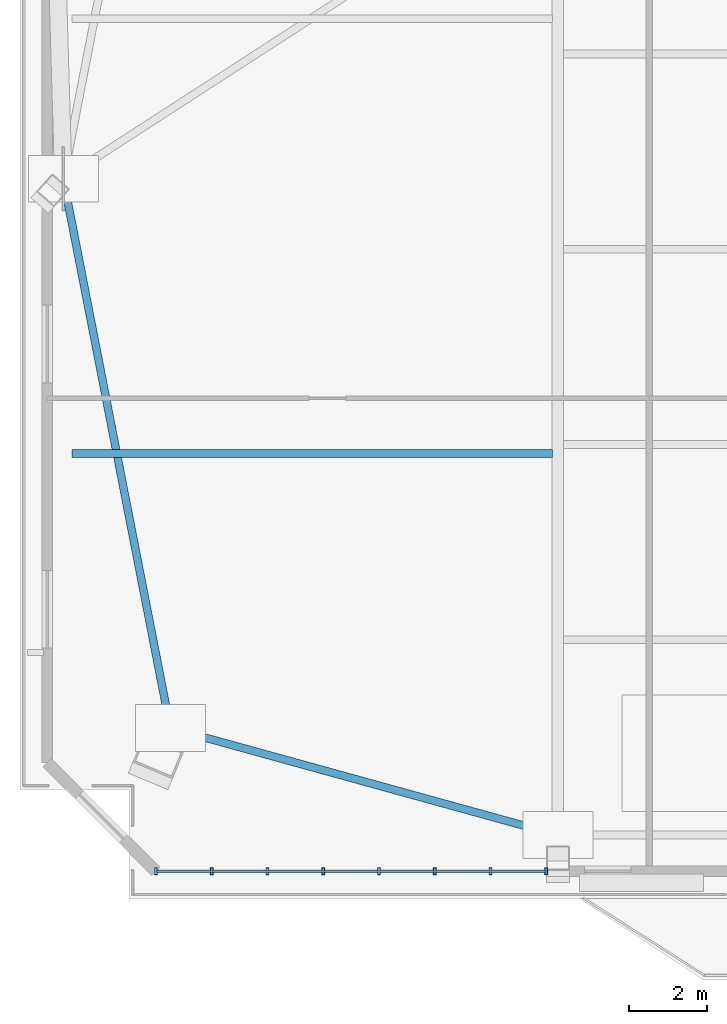
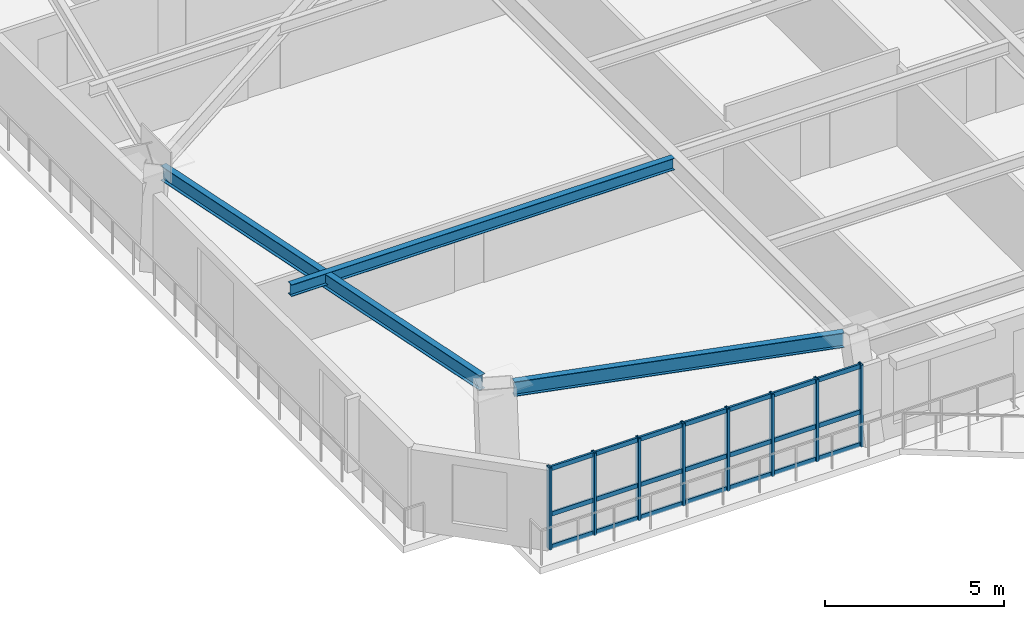
# One storey, part 2 of 16: 11 members, 3 beams, 1 element without a shape of its own.
"""IFC4 building model written with IfcOpenShell, lengths in metres."""

from ifc_helpers import new_model, si_unit, direction, frame, origin, origin_2d, place, context, subcontext, project, spatial, hollow_rectangle, i_section, extrude, source, transform, mapped, material, layer, layer_set, material_profile, profile_set, type_object, element, aggregate, save


model = new_model("IFC4")

# Units and contexts
model_context = context("Model", 3, precision=1e-05, world=origin(), true_north=direction((0.0, 1.0)))
body_context = subcontext(model_context, "Body", "Model", "MODEL_VIEW")
ifc_project = project(units=[si_unit("LENGTHUNIT", "METRE"), si_unit("AREAUNIT", "SQUARE_METRE"), si_unit("VOLUMEUNIT", "CUBIC_METRE"), si_unit("PLANEANGLEUNIT", "RADIAN"), si_unit("MASSUNIT", "GRAM", prefix="KILO")], contexts=[model_context])

# Site, building, storey
site_placement = place(None, origin())
site = spatial("IfcSite", under=ifc_project, at=site_placement, CompositionType="ELEMENT")
building_placement = place(site_placement, origin())
building = spatial("IfcBuilding", under=site, at=building_placement, Name="Giltprow Tower", CompositionType="ELEMENT")
storey_placement = place(building_placement, frame((0.0, 0.0, 209.699951171875)))
storey = spatial("IfcBuildingStorey", under=building, at=storey_placement, Name="L53", CompositionType="ELEMENT", Elevation=209.699951171875)

# Beams
ifc_material_1 = material(Name="Structural steel Q355B", Category="steel")
ifc_material_profile_1 = material_profile(ifc_material_1, i_section(OverallWidth=0.199951171875, OverallDepth=0.5, WebThickness=0.010009765625, FlangeThickness=0.01611328125, at=origin_2d()), Name="HN 500x200x10x16")
ifc_profile_set_1 = profile_set([ifc_material_profile_1], Name="Structural steel Q355B")
beam_type_1 = type_object("IfcBeamType", Name="BM-SPAN-HN500", PredefinedType="SPANDREL", material=ifc_profile_set_1)
shared_shape_1 = source(origin(), body_context, "Body", "SweptSolid", [
    extrude(i_section(OverallWidth=0.199951171875, OverallDepth=0.5, WebThickness=0.010009765625, FlangeThickness=0.01611328125, at=origin_2d()), origin(), (0.0, 0.0, 1.0), 9.530517578125),
])
beam_1_placement = place(storey_placement, frame((10.387939453125, 14.929931640625, 3.02001953125), z_axis=(0.963951167116, -0.266079212672, 0.0), x_axis=(0.266079212672, 0.963951167116, 0.0)))
element("IfcBeam", 1, at=beam_1_placement, inside=storey, type_object=beam_type_1, Name="L53 Perimeter Spandrel Beam MC_SW-S1", PredefinedType="SPANDREL", context=body_context, shape_type="MappedRepresentation", body=[
    mapped(shared_shape_1, transform((0.0, 0.0, 0.0), x_axis=(1.0, 0.0, 0.0), y_axis=(0.0, 1.0, 0.0), z_axis=(0.0, 0.0, 1.0), scale=1.0)),
])
shared_shape_2 = source(origin(), body_context, "Body", "SweptSolid", [
    extrude(i_section(OverallWidth=0.199951171875, OverallDepth=0.5, WebThickness=0.010009765625, FlangeThickness=0.01611328125, at=origin_2d()), origin(), (0.0, 0.0, 1.0), 13.582763671875),
])
beam_2_placement = place(storey_placement, frame((7.172119140625, 28.928955078125, 3.02001953125), z_axis=(0.19126414203, -0.981538602386, 0.0), x_axis=(0.981538602386, 0.19126414203, 0.0)))
element("IfcBeam", 2, at=beam_2_placement, inside=storey, type_object=beam_type_1, Name="L53 Perimeter Spandrel Beam W_MID-MC_SW", PredefinedType="SPANDREL", context=body_context, shape_type="MappedRepresentation", body=[
    mapped(shared_shape_2, transform((0.0, 0.0, 0.0), x_axis=(1.0, 0.0, 0.0), y_axis=(0.0, 1.0, 0.0), z_axis=(0.0, 0.0, 1.0), scale=1.0)),
])
ifc_material_profile_2 = material_profile(ifc_material_1, i_section(OverallWidth=0.199951171875, OverallDepth=0.39990234375, WebThickness=0.008056640625, FlangeThickness=0.012939453125, at=origin_2d()), Name="HN 400x200x8x13")
ifc_profile_set_2 = profile_set([ifc_material_profile_2], Name="Structural steel Q355B")
beam_type_2 = type_object("IfcBeamType", Name="BM-JOIST-HN400", PredefinedType="JOIST", material=ifc_profile_set_2)
shared_shape_3 = source(origin(), body_context, "Body", "SweptSolid", [
    extrude(i_section(OverallWidth=0.199951171875, OverallDepth=0.39990234375, WebThickness=0.008056640625, FlangeThickness=0.012939453125, at=origin_2d()), origin(), (0.0, 0.0, 1.0), 12.3671875),
])
beam_3_placement = place(storey_placement, frame((7.337890625, 22.139892578125, 3.070068359375), z_axis=(1.0, 0.0, 0.0), x_axis=(0.0, 1.0, 0.0)))
element("IfcBeam", 3, at=beam_3_placement, inside=storey, type_object=beam_type_2, Name="L53 West Wing Floor Joist 1", PredefinedType="JOIST", context=body_context, shape_type="MappedRepresentation", body=[
    mapped(shared_shape_3, transform((0.0, 0.0, 0.0), x_axis=(1.0, 0.0, 0.0), y_axis=(0.0, 1.0, 0.0), z_axis=(0.0, 0.0, 1.0), scale=1.0)),
])

# Curtain wall, members
ifc_material_2 = material(Name="Anodized bronze", Category="metal")
ifc_layer = layer(ifc_material_2, 0.179931640625, Name="Anodized bronze")
ifc_layer_set = layer_set([ifc_layer], Name="Anodized bronze")
curtain_wall_type = type_object("IfcCurtainWallType", Name="CW-HTL-BRONZE", PredefinedType="NOTDEFINED", material=ifc_layer_set)
curtain_wall_placement = place(storey_placement, origin())
curtain_wall = element("IfcCurtainWall", 4, at=curtain_wall_placement, inside=storey, type_object=curtain_wall_type, Name="L53 South Recessed Curtain Wall 1", PredefinedType="NOTDEFINED")
ifc_material_profile_3 = material_profile(ifc_material_2, hollow_rectangle(XDim=0.074951171875, YDim=0.179931640625, WallThickness=0.008056640625, at=origin_2d()), Name="RHS 180x75x8")
ifc_profile_set_3 = profile_set([ifc_material_profile_3], Name="Anodized bronze")
member_type_1 = type_object("IfcMemberType", Name="CW-MULLION-180x75", PredefinedType="MULLION", material=ifc_profile_set_3)
shared_shape_4 = source(origin(), body_context, "Body", "SweptSolid", [
    extrude(hollow_rectangle(XDim=0.074951171875, YDim=0.179931640625, WallThickness=0.008056640625, at=origin_2d()), origin(), (0.0, 0.0, 1.0), 2.80517578125),
])
member_1_placement = place(storey_placement, frame((9.5029296875, 11.385986328125, -0.02001953125), z_axis=(0.0, 0.0, 1.0), x_axis=(1.0, 0.0, 0.0)))
member_1 = element("IfcMember", 5, at=member_1_placement, type_object=member_type_1, Name="L53 South Recessed Curtain Wall 1 Mullion 1", PredefinedType="MULLION", context=body_context, shape_type="MappedRepresentation", body=[
    mapped(shared_shape_4, transform((0.0, 0.0, 0.0), x_axis=(1.0, 0.0, 0.0), y_axis=(0.0, 1.0, 0.0), z_axis=(0.0, 0.0, 1.0), scale=1.0)),
])
member_2_placement = place(storey_placement, frame((10.93798828125, 11.385986328125, -0.02001953125), z_axis=(0.0, 0.0, 1.0), x_axis=(1.0, 0.0, 0.0)))
member_2 = element("IfcMember", 6, at=member_2_placement, type_object=member_type_1, Name="L53 South Recessed Curtain Wall 1 Mullion 2", PredefinedType="MULLION", context=body_context, shape_type="MappedRepresentation", body=[
    mapped(shared_shape_4, transform((0.0, 0.0, 0.0), x_axis=(1.0, 0.0, 0.0), y_axis=(0.0, 1.0, 0.0), z_axis=(0.0, 0.0, 1.0), scale=1.0)),
])
member_3_placement = place(storey_placement, frame((12.3740234375, 11.385986328125, -0.02001953125), z_axis=(0.0, 0.0, 1.0), x_axis=(1.0, 0.0, 0.0)))
member_3 = element("IfcMember", 7, at=member_3_placement, type_object=member_type_1, Name="L53 South Recessed Curtain Wall 1 Mullion 3", PredefinedType="MULLION", context=body_context, shape_type="MappedRepresentation", body=[
    mapped(shared_shape_4, transform((0.0, 0.0, 0.0), x_axis=(1.0, 0.0, 0.0), y_axis=(0.0, 1.0, 0.0), z_axis=(0.0, 0.0, 1.0), scale=1.0)),
])
member_4_placement = place(storey_placement, frame((13.80908203125, 11.385986328125, -0.02001953125), z_axis=(0.0, 0.0, 1.0), x_axis=(1.0, 0.0, 0.0)))
member_4 = element("IfcMember", 8, at=member_4_placement, type_object=member_type_1, Name="L53 South Recessed Curtain Wall 1 Mullion 4", PredefinedType="MULLION", context=body_context, shape_type="MappedRepresentation", body=[
    mapped(shared_shape_4, transform((0.0, 0.0, 0.0), x_axis=(1.0, 0.0, 0.0), y_axis=(0.0, 1.0, 0.0), z_axis=(0.0, 0.0, 1.0), scale=1.0)),
])
member_5_placement = place(storey_placement, frame((15.243896484375, 11.385986328125, -0.02001953125), z_axis=(0.0, 0.0, 1.0), x_axis=(1.0, 0.0, 0.0)))
member_5 = element("IfcMember", 9, at=member_5_placement, type_object=member_type_1, Name="L53 South Recessed Curtain Wall 1 Mullion 5", PredefinedType="MULLION", context=body_context, shape_type="MappedRepresentation", body=[
    mapped(shared_shape_4, transform((0.0, 0.0, 0.0), x_axis=(1.0, 0.0, 0.0), y_axis=(0.0, 1.0, 0.0), z_axis=(0.0, 0.0, 1.0), scale=1.0)),
])
member_6_placement = place(storey_placement, frame((16.678955078125, 11.385986328125, -0.02001953125), z_axis=(0.0, 0.0, 1.0), x_axis=(1.0, 0.0, 0.0)))
member_6 = element("IfcMember", 10, at=member_6_placement, type_object=member_type_1, Name="L53 South Recessed Curtain Wall 1 Mullion 6", PredefinedType="MULLION", context=body_context, shape_type="MappedRepresentation", body=[
    mapped(shared_shape_4, transform((0.0, 0.0, 0.0), x_axis=(1.0, 0.0, 0.0), y_axis=(0.0, 1.0, 0.0), z_axis=(0.0, 0.0, 1.0), scale=1.0)),
])
member_7_placement = place(storey_placement, frame((18.114990234375, 11.385986328125, -0.02001953125), z_axis=(0.0, 0.0, 1.0), x_axis=(1.0, 0.0, 0.0)))
member_7 = element("IfcMember", 11, at=member_7_placement, type_object=member_type_1, Name="L53 South Recessed Curtain Wall 1 Mullion 7", PredefinedType="MULLION", context=body_context, shape_type="MappedRepresentation", body=[
    mapped(shared_shape_4, transform((0.0, 0.0, 0.0), x_axis=(1.0, 0.0, 0.0), y_axis=(0.0, 1.0, 0.0), z_axis=(0.0, 0.0, 1.0), scale=1.0)),
])
member_8_placement = place(storey_placement, frame((19.550048828125, 11.385986328125, -0.02001953125), z_axis=(0.0, 0.0, 1.0), x_axis=(1.0, 0.0, 0.0)))
member_8 = element("IfcMember", 12, at=member_8_placement, type_object=member_type_1, Name="L53 South Recessed Curtain Wall 1 Mullion 8", PredefinedType="MULLION", context=body_context, shape_type="MappedRepresentation", body=[
    mapped(shared_shape_4, transform((0.0, 0.0, 0.0), x_axis=(1.0, 0.0, 0.0), y_axis=(0.0, 1.0, 0.0), z_axis=(0.0, 0.0, 1.0), scale=1.0)),
])
ifc_material_profile_4 = material_profile(ifc_material_2, hollow_rectangle(XDim=0.06494140625, YDim=0.14990234375, WallThickness=0.006103515625, at=origin_2d()), Name="RHS 150x65x6")
ifc_profile_set_4 = profile_set([ifc_material_profile_4], Name="Anodized bronze")
member_type_2 = type_object("IfcMemberType", Name="CW-TRANSOM-150x65", PredefinedType="USERDEFINED", material=ifc_profile_set_4)
shared_shape_5 = source(origin(), body_context, "Body", "SweptSolid", [
    extrude(hollow_rectangle(XDim=0.06494140625, YDim=0.14990234375, WallThickness=0.006103515625, at=origin_2d()), origin(), (0.0, 0.0, 1.0), 10.047119140625),
])
member_9_placement = place(storey_placement, frame((9.5029296875, 11.385986328125, 0.0400390625), z_axis=(1.0, 0.0, 0.0), x_axis=(0.0, 1.0, 0.0)))
member_9 = element("IfcMember", 13, at=member_9_placement, type_object=member_type_2, Name="L53 South Recessed Curtain Wall 1 Transom 1", ObjectType="TRANSOM", PredefinedType="USERDEFINED", context=body_context, shape_type="MappedRepresentation", body=[
    mapped(shared_shape_5, transform((0.0, 0.0, 0.0), x_axis=(1.0, 0.0, 0.0), y_axis=(0.0, 1.0, 0.0), z_axis=(0.0, 0.0, 1.0), scale=1.0)),
])
member_10_placement = place(storey_placement, frame((9.5029296875, 11.385986328125, 1.155029296875), z_axis=(1.0, 0.0, 0.0), x_axis=(0.0, 1.0, 0.0)))
member_10 = element("IfcMember", 14, at=member_10_placement, type_object=member_type_2, Name="L53 South Recessed Curtain Wall 1 Transom 2", ObjectType="TRANSOM", PredefinedType="USERDEFINED", context=body_context, shape_type="MappedRepresentation", body=[
    mapped(shared_shape_5, transform((0.0, 0.0, 0.0), x_axis=(1.0, 0.0, 0.0), y_axis=(0.0, 1.0, 0.0), z_axis=(0.0, 0.0, 1.0), scale=1.0)),
])
member_11_placement = place(storey_placement, frame((9.5029296875, 11.385986328125, 2.7099609375), z_axis=(1.0, 0.0, 0.0), x_axis=(0.0, 1.0, 0.0)))
member_11 = element("IfcMember", 15, at=member_11_placement, type_object=member_type_2, Name="L53 South Recessed Curtain Wall 1 Transom 3", ObjectType="TRANSOM", PredefinedType="USERDEFINED", context=body_context, shape_type="MappedRepresentation", body=[
    mapped(shared_shape_5, transform((0.0, 0.0, 0.0), x_axis=(1.0, 0.0, 0.0), y_axis=(0.0, 1.0, 0.0), z_axis=(0.0, 0.0, 1.0), scale=1.0)),
])
aggregate(curtain_wall, [member_1, member_2, member_3, member_4, member_5, member_6, member_7, member_8, member_9, member_10, member_11])

save(model, "model.ifc")
